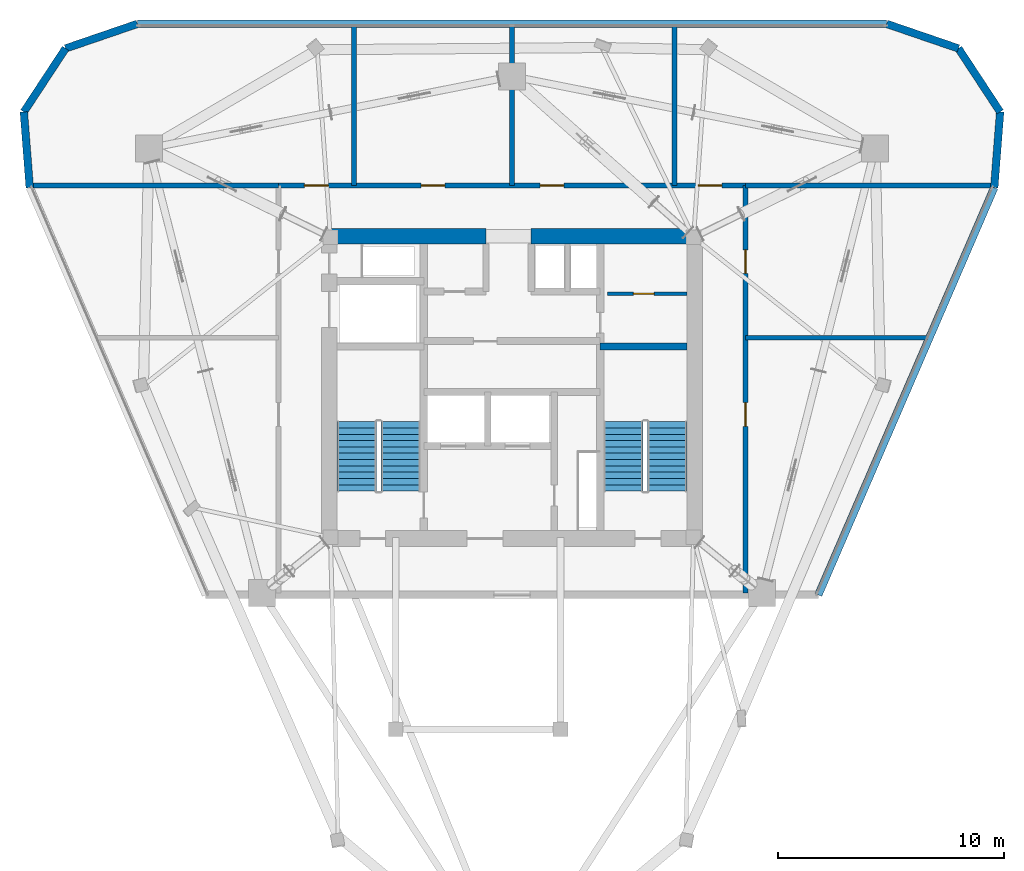
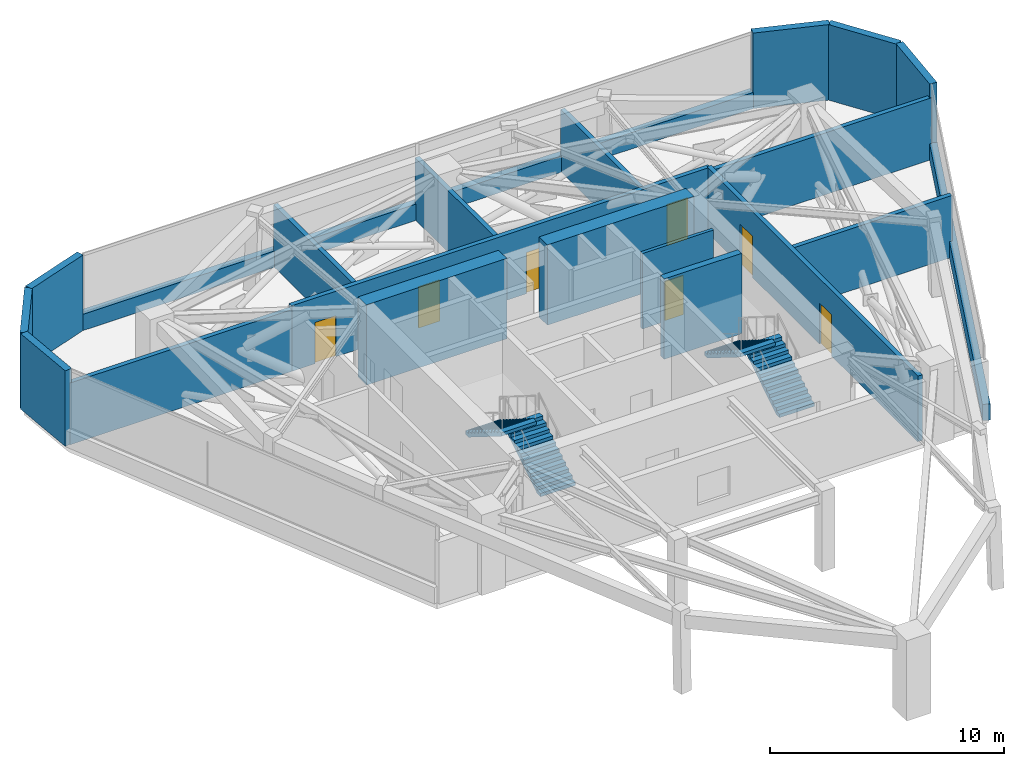
# One storey, part 8 of 9: 20 walls, 7 doors, 4 stair flights, 7 openings, 2 elements without a shape of their own.
"""IFC4 building model written with IfcOpenShell, lengths in metres."""

from ifc_helpers import new_model, si_unit, direction, frame, frame_2d, origin, place, context, subcontext, project, spatial, polyline, rectangle, outline, extrude, material, layer, layer_set, type_object, element, fill, aggregate, save


model = new_model("IFC4")

# Units and contexts
model_context = context("Model", 3, precision=1e-05, world=origin(), true_north=direction((0.0, 1.0)))
body_context = subcontext(model_context, "Body", "Model", "MODEL_VIEW")
ifc_project = project(units=[si_unit("LENGTHUNIT", "METRE"), si_unit("AREAUNIT", "SQUARE_METRE"), si_unit("VOLUMEUNIT", "CUBIC_METRE"), si_unit("PLANEANGLEUNIT", "RADIAN"), si_unit("MASSUNIT", "GRAM", prefix="KILO")], contexts=[model_context])

# Site, building, storey
site_placement = place(None, origin())
site = spatial("IfcSite", under=ifc_project, at=site_placement, CompositionType="ELEMENT")
building_placement = place(site_placement, origin())
building = spatial("IfcBuilding", under=site, at=building_placement, Name="Talyreon Biosciences Tower", CompositionType="ELEMENT")
storey_placement = place(building_placement, frame((0.0, 0.0, 279.60009765625)))
storey = spatial("IfcBuildingStorey", under=building, at=storey_placement, Name="L74", CompositionType="ELEMENT", Elevation=279.60009765625)

# Walls
ifc_material_1 = material(Name="Concrete C50/60", Category="concrete")
ifc_layer_1 = layer(ifc_material_1, 0.320068359375)
ifc_layer_set_1 = layer_set([ifc_layer_1], Name="Concrete C50/60")
wall_type_1 = type_object("IfcWallType", Name="CoreShearWall_320", PredefinedType="SHEAR", material=ifc_layer_set_1)
wall_1_placement = place(storey_placement, frame((69.909912109375, 69.81005859375, 0.0), z_axis=(0.0, 0.0, 1.0), x_axis=(1.0, 0.0, 0.0)))
element("IfcWall", 1, at=wall_1_placement, inside=storey, type_object=wall_type_1, Name="L74 Core Shaft Wall SW2N", PredefinedType="SHEAR", context=body_context, shape_type="SweptSolid", body=[
    extrude(rectangle(XDim=3.840087890625, YDim=0.320068359375, at=frame_2d((1.919921875, 0.0))), origin(), (0.0, 0.0, 1.0), 4.199951171875),
])
ifc_layer_2 = layer(ifc_material_1, 0.699951171875)
ifc_layer_set_2 = layer_set([ifc_layer_2], Name="Concrete C50/60")
wall_type_2 = type_object("IfcWallType", Name="CoreShearWall_700", PredefinedType="SHEAR", material=ifc_layer_set_2)
wall_2_placement = place(storey_placement, frame((74.10009765625, 74.699951171875, 0.0), z_axis=(0.0, 0.0, 1.0), x_axis=(-1.0, 0.0, 0.0)))
element("IfcWall", 2, at=wall_2_placement, inside=storey, type_object=wall_type_2, Name="L74 Core Shear Wall NE", PredefinedType="SHEAR", context=body_context, shape_type="SweptSolid", body=[
    extrude(rectangle(XDim=7.25, YDim=0.699951171875, at=frame_2d((3.625, 0.0))), origin(), (0.0, 0.0, 1.0), 4.199951171875),
])
wall_3_placement = place(storey_placement, frame((64.85009765625, 74.699951171875, 0.0), z_axis=(0.0, 0.0, 1.0), x_axis=(-1.0, 0.0, 0.0)))
element("IfcWall", 3, at=wall_3_placement, inside=storey, type_object=wall_type_2, Name="L74 Core Shear Wall NW", PredefinedType="SHEAR", context=body_context, shape_type="SweptSolid", body=[
    extrude(rectangle(XDim=6.9501953125, YDim=0.699951171875, at=frame_2d((3.47509765625, 0.0))), origin(), (0.0, 0.0, 1.0), 4.199951171875),
])
ifc_material_2 = material(Name="Gypsum fireboard acoustic stud", Category="gypsum")
ifc_layer_3 = layer(ifc_material_2, 0.219970703125)
ifc_layer_set_3 = layer_set([ifc_layer_3], Name="Gypsum fireboard acoustic stud")
wall_type_3 = type_object("IfcWallType", Name="CorridorRatedPartition_220", PredefinedType="PARTITIONING", material=ifc_layer_set_3)
for number, where, z_axis, x_axis, name in (
    (4, (59.0, 76.949951171875, 0.0), (0.0, 0.0, 1.0), (0.0, 1.0, 0.0), "L74 Interior Wall IW-L74-ND1"),
    (5, (66.0, 76.949951171875, 0.0), (0.0, 0.0, 1.0), (0.0, 1.0, 0.0), "L74 Interior Wall IW-L74-ND2"),
    (6, (73.199951171875, 76.949951171875, 0.0), (0.0, 0.0, 1.0), (0.0, 1.0, 0.0), "L74 Interior Wall IW-L74-ND3"),
):
    element("IfcWall", number, at=place(storey_placement, frame(where, z_axis=z_axis, x_axis=x_axis)), inside=storey, type_object=wall_type_3, Name=name, PredefinedType="PARTITIONING", context=body_context, shape_type="SweptSolid", body=[
        extrude(rectangle(XDim=7.082275390625, YDim=0.219970703125, at=frame_2d((3.541015625, 0.0))), origin(), (0.0, 0.0, 1.0), 3.22998046875),
    ])
for number, where, z_axis, x_axis, name in (
    (7, (44.696533203125, 76.949951171875, 0.0), (0.0, 0.0, 1.0), (1.0, 0.0, 0.0), "L74 Interior Wall IW-L74-NDIV-NW"),
    (8, (76.35009765625, 76.949951171875, 0.0), (0.0, 0.0, 1.0), (1.0, 0.0, 0.0), "L74 Interior Wall IW-L74-NDIV-NE"),
):
    element("IfcWall", number, at=place(storey_placement, frame(where, z_axis=z_axis, x_axis=x_axis)), inside=storey, type_object=wall_type_3, Name=name, PredefinedType="PARTITIONING", context=body_context, shape_type="SweptSolid", body=[
        extrude(rectangle(XDim=10.953369140625, YDim=0.219970703125, at=frame_2d((5.4765625, 0.0))), origin(), (0.0, 0.0, 1.0), 3.22998046875),
    ])
wall_4_placement = place(storey_placement, frame((76.35009765625, 70.199951171875, 0.0), z_axis=(0.0, 0.0, 1.0), x_axis=(1.0, 0.0, 0.0)))
element("IfcWall", 9, at=wall_4_placement, inside=storey, type_object=wall_type_3, Name="L74 Interior Wall IW-L74-ED1", PredefinedType="PARTITIONING", context=body_context, shape_type="SweptSolid", body=[
    extrude(rectangle(XDim=8.06396484375, YDim=0.219970703125, at=frame_2d((4.031982421875, 0.0))), origin(), (0.0, 0.0, 1.0), 3.22998046875),
])

# Wall, openings, doors
wall_5_placement = place(storey_placement, frame((76.35009765625, 58.885009765625, 0.0), z_axis=(0.0, 0.0, 1.0), x_axis=(0.0, 1.0, 0.0)))
wall_5 = element("IfcWall", 10, at=wall_5_placement, inside=storey, type_object=wall_type_3, Name="L74 Interior Wall IW-L74-PC-E", PredefinedType="PARTITIONING", context=body_context, shape_type="SweptSolid", body=[
    extrude(rectangle(XDim=18.06494140625, YDim=0.219970703125, at=frame_2d((9.032470703125, 0.0))), origin(), (0.0, 0.0, 1.0), 3.429931640625),
])
opening_1_placement = place(wall_5_placement, frame((7.388916015625, 0.0, 0.0)))
opening_1 = element("IfcOpeningElement", 11, at=opening_1_placement, cuts=wall_5, Name="Opening DR-L74-PL-EB", PredefinedType="OPENING", context=body_context, shape_type="SweptSolid", body=[
    extrude(rectangle(XDim=1.050048828125, YDim=2.14990234375, at=frame_2d((0.52490234375, 1.074951171875))), frame((0.0, 0.119873046875, 0.0), z_axis=(0.0, -1.0, 0.0), x_axis=(1.0, 0.0, 0.0)), (0.0, 0.0, 1.0), 0.239990234375),
])
opening_2_placement = place(wall_5_placement, frame((14.1650390625, 0.0, 0.0)))
opening_2 = element("IfcOpeningElement", 12, at=opening_2_placement, cuts=wall_5, Name="Opening DR-L74-PL-EA", PredefinedType="OPENING", context=body_context, shape_type="SweptSolid", body=[
    extrude(rectangle(XDim=1.050048828125, YDim=2.14990234375, at=frame_2d((0.52490234375, 1.074951171875))), frame((0.0, 0.119873046875, 0.0), z_axis=(0.0, -1.0, 0.0), x_axis=(1.0, 0.0, 0.0)), (0.0, 0.0, 1.0), 0.239990234375),
])
ifc_material_3 = material(Name="Acoustic timber-core laboratory door", Category="wood")
door_type_1 = type_object("IfcDoorType", Name="DryLabSingleDoor_1050x2150", OperationType="NOTDEFINED", PredefinedType="DOOR", material=ifc_material_3)
door_1_placement = place(opening_1_placement, origin())
door_1 = element("IfcDoor", 13, at=door_1_placement, inside=storey, type_object=door_type_1, Name="L74 Interior Door DR-L74-PL-EB", OperationType="SINGLE_SWING_LEFT", OverallHeight=2.14990234375, OverallWidth=1.050048828125, PredefinedType="DOOR", context=body_context, shape_type="SweptSolid", body=[
    extrude(rectangle(XDim=1.050048828125, YDim=2.14990234375, at=frame_2d((0.52490234375, 1.074951171875))), frame((0.0, 0.02490234375, 0.0), z_axis=(0.0, -1.0, 0.0), x_axis=(1.0, 0.0, 0.0)), (0.0, 0.0, 1.0), 0.050048828125),
])
fill(opening_1, door_1)
door_2_placement = place(opening_2_placement, origin())
door_2 = element("IfcDoor", 14, at=door_2_placement, inside=storey, type_object=door_type_1, Name="L74 Interior Door DR-L74-PL-EA", OperationType="SINGLE_SWING_LEFT", OverallHeight=2.14990234375, OverallWidth=1.050048828125, PredefinedType="DOOR", context=body_context, shape_type="SweptSolid", body=[
    extrude(rectangle(XDim=1.050048828125, YDim=2.14990234375, at=frame_2d((0.52490234375, 1.074951171875))), frame((0.0, 0.02490234375, 0.0), z_axis=(0.0, -1.0, 0.0), x_axis=(1.0, 0.0, 0.0)), (0.0, 0.0, 1.0), 0.050048828125),
])
fill(opening_2, door_2)

wall_6_placement = place(storey_placement, frame((55.64990234375, 76.949951171875, 0.0), z_axis=(0.0, 0.0, 1.0), x_axis=(1.0, 0.0, 0.0)))
wall_6 = element("IfcWall", 15, at=wall_6_placement, inside=storey, type_object=wall_type_3, Name="L74 Interior Wall IW-L74-PC-N", PredefinedType="PARTITIONING", context=body_context, shape_type="SweptSolid", body=[
    extrude(rectangle(XDim=20.7001953125, YDim=0.219970703125, at=frame_2d((10.35009765625, 0.0))), origin(), (0.0, 0.0, 1.0), 3.429931640625),
])
opening_3_placement = place(wall_6_placement, frame((1.14990234375, 0.0, 0.0)))
opening_3 = element("IfcOpeningElement", 16, at=opening_3_placement, cuts=wall_6, Name="Opening DR-L74-PL-NWA", PredefinedType="OPENING", context=body_context, shape_type="SweptSolid", body=[
    extrude(rectangle(XDim=1.050048828125, YDim=2.14990234375, at=frame_2d((0.52490234375, 1.074951171875))), frame((0.0, 0.119873046875, 0.0), z_axis=(0.0, -1.0, 0.0), x_axis=(1.0, 0.0, 0.0)), (0.0, 0.0, 1.0), 0.239990234375),
])
opening_4_placement = place(wall_6_placement, frame((6.324951171875, 0.0, 0.0)))
opening_4 = element("IfcOpeningElement", 17, at=opening_4_placement, cuts=wall_6, Name="Opening DR-L74-PL-NWB", PredefinedType="OPENING", context=body_context, shape_type="SweptSolid", body=[
    extrude(rectangle(XDim=1.050048828125, YDim=2.14990234375, at=frame_2d((0.52490234375, 1.074951171875))), frame((0.0, 0.119873046875, 0.0), z_axis=(0.0, -1.0, 0.0), x_axis=(1.0, 0.0, 0.0)), (0.0, 0.0, 1.0), 0.239990234375),
])
opening_5_placement = place(wall_6_placement, frame((11.60205078125, 0.0, 0.0)))
opening_5 = element("IfcOpeningElement", 18, at=opening_5_placement, cuts=wall_6, Name="Opening DR-L74-PL-NEA", PredefinedType="OPENING", context=body_context, shape_type="SweptSolid", body=[
    extrude(rectangle(XDim=1.050048828125, YDim=2.14990234375, at=frame_2d((0.52490234375, 1.074951171875))), frame((0.0, 0.119873046875, 0.0), z_axis=(0.0, -1.0, 0.0), x_axis=(1.0, 0.0, 0.0)), (0.0, 0.0, 1.0), 0.239990234375),
])
opening_6_placement = place(wall_6_placement, frame((18.60009765625, 0.0, 0.0)))
opening_6 = element("IfcOpeningElement", 19, at=opening_6_placement, cuts=wall_6, Name="Opening DR-L74-PL-NEB", PredefinedType="OPENING", context=body_context, shape_type="SweptSolid", body=[
    extrude(rectangle(XDim=1.050048828125, YDim=2.14990234375, at=frame_2d((0.52490234375, 1.074951171875))), frame((0.0, 0.119873046875, 0.0), z_axis=(0.0, -1.0, 0.0), x_axis=(1.0, 0.0, 0.0)), (0.0, 0.0, 1.0), 0.239990234375),
])
door_3_placement = place(opening_3_placement, origin())
door_3 = element("IfcDoor", 20, at=door_3_placement, inside=storey, type_object=door_type_1, Name="L74 Interior Door DR-L74-PL-NWA", OperationType="SINGLE_SWING_LEFT", OverallHeight=2.14990234375, OverallWidth=1.050048828125, PredefinedType="DOOR", context=body_context, shape_type="SweptSolid", body=[
    extrude(rectangle(XDim=1.050048828125, YDim=2.14990234375, at=frame_2d((0.52490234375, 1.074951171875))), frame((0.0, 0.02490234375, 0.0), z_axis=(0.0, -1.0, 0.0), x_axis=(1.0, 0.0, 0.0)), (0.0, 0.0, 1.0), 0.050048828125),
])
fill(opening_3, door_3)
door_4_placement = place(opening_4_placement, origin())
door_4 = element("IfcDoor", 21, at=door_4_placement, inside=storey, type_object=door_type_1, Name="L74 Interior Door DR-L74-PL-NWB", OperationType="SINGLE_SWING_LEFT", OverallHeight=2.14990234375, OverallWidth=1.050048828125, PredefinedType="DOOR", context=body_context, shape_type="SweptSolid", body=[
    extrude(rectangle(XDim=1.050048828125, YDim=2.14990234375, at=frame_2d((0.52490234375, 1.074951171875))), frame((0.0, 0.02490234375, 0.0), z_axis=(0.0, -1.0, 0.0), x_axis=(1.0, 0.0, 0.0)), (0.0, 0.0, 1.0), 0.050048828125),
])
fill(opening_4, door_4)
door_5_placement = place(opening_5_placement, origin())
door_5 = element("IfcDoor", 22, at=door_5_placement, inside=storey, type_object=door_type_1, Name="L74 Interior Door DR-L74-PL-NEA", OperationType="SINGLE_SWING_RIGHT", OverallHeight=2.14990234375, OverallWidth=1.050048828125, PredefinedType="DOOR", context=body_context, shape_type="SweptSolid", body=[
    extrude(rectangle(XDim=1.050048828125, YDim=2.14990234375, at=frame_2d((0.52490234375, 1.074951171875))), frame((0.0, 0.02490234375, 0.0), z_axis=(0.0, -1.0, 0.0), x_axis=(1.0, 0.0, 0.0)), (0.0, 0.0, 1.0), 0.050048828125),
])
fill(opening_5, door_5)
door_6_placement = place(opening_6_placement, origin())
door_6 = element("IfcDoor", 23, at=door_6_placement, inside=storey, type_object=door_type_1, Name="L74 Interior Door DR-L74-PL-NEB", OperationType="SINGLE_SWING_LEFT", OverallHeight=2.14990234375, OverallWidth=1.050048828125, PredefinedType="DOOR", context=body_context, shape_type="SweptSolid", body=[
    extrude(rectangle(XDim=1.050048828125, YDim=2.14990234375, at=frame_2d((0.52490234375, 1.074951171875))), frame((0.0, 0.02490234375, 0.0), z_axis=(0.0, -1.0, 0.0), x_axis=(1.0, 0.0, 0.0)), (0.0, 0.0, 1.0), 0.050048828125),
])
fill(opening_6, door_6)

# Wall, opening, door
ifc_material_4 = material(Name="Gypsum acoustic stud partition", Category="gypsum")
ifc_layer_4 = layer(ifc_material_4, 0.159912109375)
ifc_layer_set_4 = layer_set([ifc_layer_4], Name="Gypsum acoustic stud partition")
wall_type_4 = type_object("IfcWallType", Name="LabSeparationPartition_160", PredefinedType="PARTITIONING", material=ifc_layer_set_4)
wall_7_placement = place(storey_placement, frame((70.22998046875, 72.14990234375, 0.0), z_axis=(0.0, 0.0, 1.0), x_axis=(1.0, 0.0, 0.0)))
wall_7 = element("IfcWall", 24, at=wall_7_placement, inside=storey, type_object=wall_type_4, Name="L74 Interior Wall IW-L74-CSRV-H", PredefinedType="PARTITIONING", context=body_context, shape_type="SweptSolid", body=[
    extrude(rectangle(XDim=3.52001953125, YDim=0.159912109375, at=frame_2d((1.760009765625, 0.0))), origin(), (0.0, 0.0, 1.0), 3.949951171875),
])
opening_7_placement = place(wall_7_placement, frame((1.14990234375, 0.0, 0.0)))
opening_7 = element("IfcOpeningElement", 25, at=opening_7_placement, cuts=wall_7, Name="Opening DR-L74-CSRV-I", PredefinedType="OPENING", context=body_context, shape_type="SweptSolid", body=[
    extrude(rectangle(XDim=0.919921875, YDim=2.050048828125, at=frame_2d((0.4599609375, 1.02490234375))), frame((0.0, 0.08984375, 0.0), z_axis=(0.0, -1.0, 0.0), x_axis=(1.0, 0.0, 0.0)), (0.0, 0.0, 1.0), 0.179931640625),
])
ifc_material_5 = material(Name="Painted steel fire-rated riser door", Category="steel")
door_type_2 = type_object("IfcDoorType", Name="RiserPlantAccessDoor_920x2050", OperationType="NOTDEFINED", PredefinedType="DOOR", material=ifc_material_5)
door_7_placement = place(opening_7_placement, origin())
door_7 = element("IfcDoor", 26, at=door_7_placement, inside=storey, type_object=door_type_2, Name="L74 Interior Door DR-L74-CSRV-I", OperationType="SINGLE_SWING_LEFT", OverallHeight=2.050048828125, OverallWidth=0.919921875, PredefinedType="DOOR", context=body_context, shape_type="SweptSolid", body=[
    extrude(rectangle(XDim=0.919921875, YDim=2.050048828125, at=frame_2d((0.4599609375, 1.02490234375))), frame((0.0, 0.02490234375, 0.0), z_axis=(0.0, -1.0, 0.0), x_axis=(1.0, 0.0, 0.0)), (0.0, 0.0, 1.0), 0.050048828125),
])
fill(opening_7, door_7)

# Walls
ifc_material_6 = material(Name="Precast concrete C45/55", Category="concrete")
ifc_layer_5 = layer(ifc_material_6, 0.340087890625)
ifc_layer_set_5 = layer_set([ifc_layer_5], Name="Precast concrete C45/55")
wall_type_5 = type_object("IfcWallType", Name="PrecastConcreteSpandrelWall_340", PredefinedType="STANDARD", material=ifc_layer_set_5)
for number, where, z_axis, x_axis, name in (
    (27, (44.61865234375, 76.855224609375, 0.0), (0.0, 0.0, 1.0), (-0.077932702053, 0.996958621985, 0.0), "L74 Rounded-Corner Concrete Pier 00"),
    (28, (44.356201171875, 80.212646484375, 0.0), (0.0, 0.0, 1.0), (0.549284928187, 0.835635128311, 0.0), "L74 Rounded-Corner Concrete Pier 01"),
    (29, (46.2060546875, 83.02685546875, 0.0), (0.0, 0.0, 1.0), (0.946137689322, 0.323764533025, 0.0), "L74 Rounded-Corner Concrete Pier 02"),
):
    element("IfcWall", number, at=place(storey_placement, frame(where, z_axis=z_axis, x_axis=x_axis)), inside=storey, type_object=wall_type_5, Name=name, PredefinedType="STANDARD", context=body_context, shape_type="SweptSolid", body=[
        extrude(rectangle(XDim=3.36767578125, YDim=0.340087890625, at=frame_2d((1.683837890625, 0.0))), origin(), (0.0, 0.0, 1.0), 3.949951171875),
    ])
wall_8_placement = place(storey_placement, frame((49.392333984375, 84.1171875, 0.0), z_axis=(0.0, 0.0, 1.0), x_axis=(1.0, 0.0, 0.0)))
element("IfcWall", 30, at=wall_8_placement, inside=storey, type_object=wall_type_5, Name="L74 Expressed Concrete Sill Wall 03", PredefinedType="STANDARD", context=body_context, shape_type="SweptSolid", body=[
    extrude(rectangle(XDim=33.21533203125, YDim=0.340087890625, at=frame_2d((16.607666015625, 0.0))), origin(), (0.0, 0.0, 1.0), 0.849853515625),
])
for number, where, z_axis, x_axis, name in (
    (31, (82.607666015625, 84.1171875, 0.0), (0.0, 0.0, 1.0), (0.946137689322, -0.323764533025, 0.0), "L74 Rounded-Corner Concrete Pier 04"),
    (32, (85.7939453125, 83.02685546875, 0.0), (0.0, 0.0, 1.0), (0.549284928187, -0.835635128311, 0.0), "L74 Rounded-Corner Concrete Pier 05"),
    (33, (87.643798828125, 80.212646484375, 0.0), (0.0, 0.0, 1.0), (-0.077932702053, -0.996958621985, 0.0), "L74 Rounded-Corner Concrete Pier 06"),
):
    element("IfcWall", number, at=place(storey_placement, frame(where, z_axis=z_axis, x_axis=x_axis)), inside=storey, type_object=wall_type_5, Name=name, PredefinedType="STANDARD", context=body_context, shape_type="SweptSolid", body=[
        extrude(rectangle(XDim=3.36767578125, YDim=0.340087890625, at=frame_2d((1.683837890625, 0.0))), origin(), (0.0, 0.0, 1.0), 3.949951171875),
    ])
wall_9_placement = place(storey_placement, frame((87.38134765625, 76.855224609375, 0.0), z_axis=(0.0, 0.0, 1.0), x_axis=(-0.396533505425, -0.918020249818, 0.0)))
element("IfcWall", 34, at=wall_9_placement, inside=storey, type_object=wall_type_5, Name="L74 Expressed Concrete Sill Wall 07", PredefinedType="STANDARD", context=body_context, shape_type="SweptSolid", body=[
    extrude(rectangle(XDim=19.66748046875, YDim=0.340087890625, at=frame_2d((9.833740234375, 0.0))), origin(), (0.0, 0.0, 1.0), 0.849853515625),
])

# Stair, stair flights
ifc_material_7 = material(Name="Concrete C40/50", Category="concrete")
stair_type = type_object("IfcStairType", Name="DoglegEscapeStair_4200", PredefinedType="HALF_TURN_STAIR", material=ifc_material_7)
stair_1_placement = place(storey_placement, origin())
stair_1 = element("IfcStair", 35, at=stair_1_placement, inside=storey, type_object=stair_type, Name="L74 Core Escape Stair 1", PredefinedType="HALF_TURN_STAIR")
stair_flight_type = type_object("IfcStairFlightType", Name="PrecastStairFlight_4200", PredefinedType="STRAIGHT", material=ifc_material_7)
stair_flight_1_placement = place(storey_placement, frame((61.06005859375, 63.39990234375, 0.0), z_axis=(0.0, 0.0, 1.0), x_axis=(0.0, 1.0, 0.0)))
stair_flight_1 = element("IfcStairFlight", 36, at=stair_flight_1_placement, type_object=stair_flight_type, Name="ST-1 flight 1", NumberOfRisers=12, NumberOfTreads=11, PredefinedType="STRAIGHT", RiserHeight=0.175, TreadLength=0.28, context=body_context, shape_type="SweptSolid", body=[
    extrude(outline(polyline([(0.0, 0.0), (0.0, 0.175048828125), (0.280029296875, 0.175048828125), (0.280029296875, 0.35009765625), (0.56005859375, 0.35009765625), (0.56005859375, 0.52490234375), (0.840087890625, 0.52490234375), (0.840087890625, 0.699951171875), (1.1201171875, 0.699951171875), (1.1201171875, 0.875), (1.39990234375, 0.875), (1.39990234375, 1.050048828125), (1.679931640625, 1.050048828125), (1.679931640625, 1.22509765625), (1.9599609375, 1.22509765625), (1.9599609375, 1.39990234375), (2.239990234375, 1.39990234375), (2.239990234375, 1.574951171875), (2.52001953125, 1.574951171875), (2.52001953125, 1.75), (2.800048828125, 1.75), (2.800048828125, 1.925048828125), (3.080078125, 1.925048828125), (3.080078125, 2.10009765625), (3.080078125, 1.748291015625), (0.28271484375, 0.0), (0.0, 0.0)])), frame((0.0, 0.8701171875, 0.0), z_axis=(0.0, -1.0, 0.0), x_axis=(1.0, 0.0, 0.0)), (0.0, 0.0, 1.0), 1.739990234375),
])
stair_flight_2_placement = place(storey_placement, frame((59.1201171875, 66.47998046875, 2.099853515625), z_axis=(0.0, 0.0, 1.0), x_axis=(0.0, -1.0, 0.0)))
stair_flight_2 = element("IfcStairFlight", 37, at=stair_flight_2_placement, type_object=stair_flight_type, Name="ST-1 flight 2", NumberOfRisers=12, NumberOfTreads=11, PredefinedType="STRAIGHT", RiserHeight=0.175, TreadLength=0.28, context=body_context, shape_type="SweptSolid", body=[
    extrude(outline(polyline([(0.0, 0.0), (0.0, 0.175048828125), (0.280029296875, 0.175048828125), (0.280029296875, 0.35009765625), (0.56005859375, 0.35009765625), (0.56005859375, 0.52490234375), (0.840087890625, 0.52490234375), (0.840087890625, 0.699951171875), (1.1201171875, 0.699951171875), (1.1201171875, 0.875), (1.39990234375, 0.875), (1.39990234375, 1.050048828125), (1.679931640625, 1.050048828125), (1.679931640625, 1.22509765625), (1.9599609375, 1.22509765625), (1.9599609375, 1.39990234375), (2.239990234375, 1.39990234375), (2.239990234375, 1.574951171875), (2.52001953125, 1.574951171875), (2.52001953125, 1.75), (2.800048828125, 1.75), (2.800048828125, 1.925048828125), (3.080078125, 1.925048828125), (3.080078125, 2.10009765625), (3.080078125, 1.748291015625), (0.28271484375, 0.0), (0.0, 0.0)])), frame((0.0, 0.8701171875, 0.0), z_axis=(0.0, -1.0, 0.0), x_axis=(1.0, 0.0, 0.0)), (0.0, 0.0, 1.0), 1.739990234375),
])
aggregate(stair_1, [stair_flight_1, stair_flight_2])

stair_2_placement = place(storey_placement, origin())
stair_2 = element("IfcStair", 38, at=stair_2_placement, inside=storey, type_object=stair_type, Name="L74 Core Escape Stair 2", PredefinedType="HALF_TURN_STAIR")
stair_flight_3_placement = place(storey_placement, frame((72.8798828125, 63.39990234375, 0.0), z_axis=(0.0, 0.0, 1.0), x_axis=(0.0, 1.0, 0.0)))
stair_flight_3 = element("IfcStairFlight", 39, at=stair_flight_3_placement, type_object=stair_flight_type, Name="ST-2 flight 1", NumberOfRisers=12, NumberOfTreads=11, PredefinedType="STRAIGHT", RiserHeight=0.175, TreadLength=0.28, context=body_context, shape_type="SweptSolid", body=[
    extrude(outline(polyline([(0.0, 0.0), (0.0, 0.175048828125), (0.280029296875, 0.175048828125), (0.280029296875, 0.35009765625), (0.56005859375, 0.35009765625), (0.56005859375, 0.52490234375), (0.840087890625, 0.52490234375), (0.840087890625, 0.699951171875), (1.1201171875, 0.699951171875), (1.1201171875, 0.875), (1.39990234375, 0.875), (1.39990234375, 1.050048828125), (1.679931640625, 1.050048828125), (1.679931640625, 1.22509765625), (1.9599609375, 1.22509765625), (1.9599609375, 1.39990234375), (2.239990234375, 1.39990234375), (2.239990234375, 1.574951171875), (2.52001953125, 1.574951171875), (2.52001953125, 1.75), (2.800048828125, 1.75), (2.800048828125, 1.925048828125), (3.080078125, 1.925048828125), (3.080078125, 2.10009765625), (3.080078125, 1.748291015625), (0.28271484375, 0.0), (0.0, 0.0)])), frame((0.0, 0.8701171875, 0.0), z_axis=(0.0, -1.0, 0.0), x_axis=(1.0, 0.0, 0.0)), (0.0, 0.0, 1.0), 1.739990234375),
])
stair_flight_4_placement = place(storey_placement, frame((70.93994140625, 66.47998046875, 2.099853515625), z_axis=(0.0, 0.0, 1.0), x_axis=(0.0, -1.0, 0.0)))
stair_flight_4 = element("IfcStairFlight", 40, at=stair_flight_4_placement, type_object=stair_flight_type, Name="ST-2 flight 2", NumberOfRisers=12, NumberOfTreads=11, PredefinedType="STRAIGHT", RiserHeight=0.175, TreadLength=0.28, context=body_context, shape_type="SweptSolid", body=[
    extrude(outline(polyline([(0.0, 0.0), (0.0, 0.175048828125), (0.280029296875, 0.175048828125), (0.280029296875, 0.35009765625), (0.56005859375, 0.35009765625), (0.56005859375, 0.52490234375), (0.840087890625, 0.52490234375), (0.840087890625, 0.699951171875), (1.1201171875, 0.699951171875), (1.1201171875, 0.875), (1.39990234375, 0.875), (1.39990234375, 1.050048828125), (1.679931640625, 1.050048828125), (1.679931640625, 1.22509765625), (1.9599609375, 1.22509765625), (1.9599609375, 1.39990234375), (2.239990234375, 1.39990234375), (2.239990234375, 1.574951171875), (2.52001953125, 1.574951171875), (2.52001953125, 1.75), (2.800048828125, 1.75), (2.800048828125, 1.925048828125), (3.080078125, 1.925048828125), (3.080078125, 2.10009765625), (3.080078125, 1.748291015625), (0.28271484375, 0.0), (0.0, 0.0)])), frame((0.0, 0.8701171875, 0.0), z_axis=(0.0, -1.0, 0.0), x_axis=(1.0, 0.0, 0.0)), (0.0, 0.0, 1.0), 1.739990234375),
])
aggregate(stair_2, [stair_flight_3, stair_flight_4])

save(model, "model.ifc")
